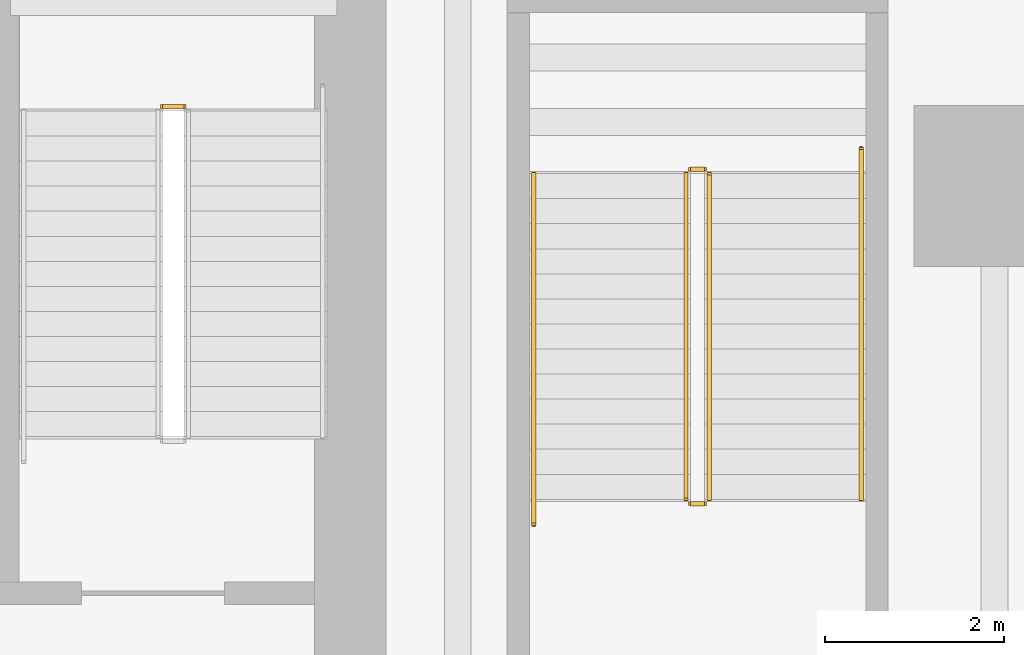
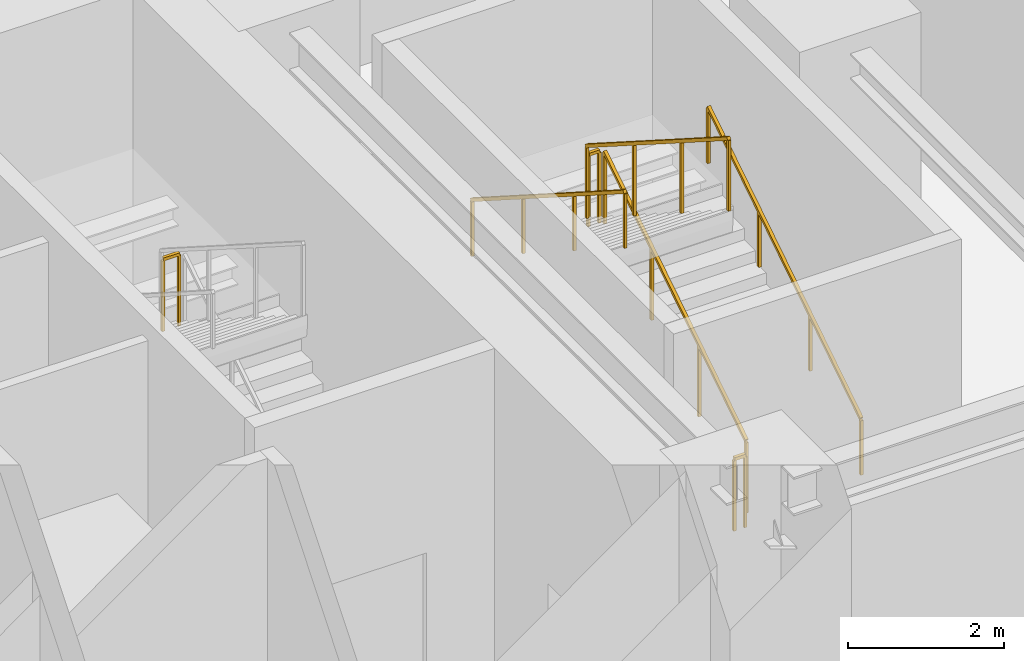
# One storey, part 15 of 18: 7 railings.
"""IFC4 building model written with IfcOpenShell, lengths in metres."""

from ifc_helpers import new_model, si_unit, direction, frame, origin, origin_2d, place, context, subcontext, project, spatial, rectangle, extrude, material, type_object, element, save


model = new_model("IFC4")

# Units and contexts
model_context = context("Model", 3, precision=1e-05, world=origin(), true_north=direction((0.0, 1.0)))
body_context = subcontext(model_context, "Body", "Model", "MODEL_VIEW")
ifc_project = project(units=[si_unit("LENGTHUNIT", "METRE"), si_unit("AREAUNIT", "SQUARE_METRE"), si_unit("VOLUMEUNIT", "CUBIC_METRE"), si_unit("PLANEANGLEUNIT", "RADIAN"), si_unit("MASSUNIT", "GRAM", prefix="KILO")], contexts=[model_context])

# Site, building, storey
site_placement = place(None, origin())
site = spatial("IfcSite", under=ifc_project, at=site_placement, CompositionType="ELEMENT")
building_placement = place(site_placement, origin())
building = spatial("IfcBuilding", under=site, at=building_placement, Name="Sumidabori Civic Tower", CompositionType="ELEMENT")
storey_placement = place(building_placement, origin())
storey = spatial("IfcBuildingStorey", under=building, at=storey_placement, Name="L00", CompositionType="ELEMENT", Elevation=0.0)

# Railings
ifc_material_1 = material(Name="Stainless Steel Hairline Finish", Category="steel")
railing_type_1 = type_object("IfcRailingType", Name="RL-HANDRAIL", PredefinedType="HANDRAIL", material=ifc_material_1)
railing_1_placement = place(storey_placement, frame((21.31005859375, 15.300048828125, 0.178466796875)))
element("IfcRailing", 1, at=railing_1_placement, inside=storey, type_object=railing_type_1, Name="L00 ST-4 stair handrail 1", PredefinedType="HANDRAIL", context=body_context, shape_type="SweptSolid", body=[
    extrude(rectangle(XDim=0.048095703125, YDim=0.048095703125, at=origin_2d()), frame((0.0, 0.0, 0.8759765625), z_axis=(0.0, 0.842743883788, 0.53831472796), x_axis=(-1.0, 0.0, 0.0)), (0.0, 0.0, 1.0), 4.6513671875),
    extrude(rectangle(XDim=0.0419921875, YDim=0.0419921875, at=origin_2d()), origin(), (0.0, 0.0, 1.0), 0.851806640625),
    extrude(rectangle(XDim=0.0419921875, YDim=0.0419921875, at=origin_2d()), frame((0.0, 1.306640625, 0.834716796875)), (0.0, 0.0, 1.0), 0.851806640625),
    extrude(rectangle(XDim=0.0419921875, YDim=0.0419921875, at=origin_2d()), frame((0.0, 2.61328125, 1.669189453125)), (0.0, 0.0, 1.0), 0.851806640625),
    extrude(rectangle(XDim=0.0419921875, YDim=0.0419921875, at=origin_2d()), frame((0.0, 3.919921875, 2.50390625)), (0.0, 0.0, 1.0), 0.851806640625),
])
railing_2_placement = place(storey_placement, frame((17.64990234375, 18.93994140625, 2.678466796875)))
element("IfcRailing", 2, at=railing_2_placement, inside=storey, type_object=railing_type_1, Name="L00 ST-4 stair handrail 2", PredefinedType="HANDRAIL", context=body_context, shape_type="SweptSolid", body=[
    extrude(rectangle(XDim=0.048095703125, YDim=0.048095703125, at=origin_2d()), frame((0.0, 0.0, 0.8759765625), z_axis=(0.0, -0.842743883788, 0.53831472796), x_axis=(1.0, 0.0, 0.0)), (0.0, 0.0, 1.0), 4.6513671875),
    extrude(rectangle(XDim=0.0419921875, YDim=0.0419921875, at=origin_2d()), origin(), (0.0, 0.0, 1.0), 0.851806640625),
    extrude(rectangle(XDim=0.0419921875, YDim=0.0419921875, at=origin_2d()), frame((0.0, -1.306640625, 0.834716796875)), (0.0, 0.0, 1.0), 0.851806640625),
    extrude(rectangle(XDim=0.0419921875, YDim=0.0419921875, at=origin_2d()), frame((0.0, -2.61328125, 1.669189453125)), (0.0, 0.0, 1.0), 0.851806640625),
    extrude(rectangle(XDim=0.0419921875, YDim=0.0419921875, at=origin_2d()), frame((0.0, -3.919921875, 2.50390625)), (0.0, 0.0, 1.0), 0.851806640625),
])
ifc_material_2 = material(Name="Steel SN490", Category="steel")
railing_type_2 = type_object("IfcRailingType", Name="RL-STAIR-GUARD", PredefinedType="GUARDRAIL", material=ifc_material_2)
railing_3_placement = place(storey_placement, frame((13.739990234375, 19.68994140625, 2.5)))
element("IfcRailing", 3, at=railing_3_placement, inside=storey, type_object=railing_type_2, Name="L00 ST-2 stair guard 2", PredefinedType="GUARDRAIL", context=body_context, shape_type="SweptSolid", body=[
    extrude(rectangle(XDim=0.048095703125, YDim=0.048095703125, at=origin_2d()), frame((0.0, 0.0, 1.1259765625), z_axis=(-1.0, 0.0, 0.0), x_axis=(0.0, -1.0, 0.0)), (0.0, 0.0, 1.0), 0.239990234375),
    extrude(rectangle(XDim=0.0419921875, YDim=0.0419921875, at=origin_2d()), origin(), (0.0, 0.0, 1.0), 1.101806640625),
    extrude(rectangle(XDim=0.0419921875, YDim=0.0419921875, at=origin_2d()), frame((-0.239990234375, 0.0, 0.0)), (0.0, 0.0, 1.0), 1.101806640625),
])
railing_4_placement = place(storey_placement, frame((19.610107421875, 15.300048828125, 0.178466796875)))
element("IfcRailing", 4, at=railing_4_placement, inside=storey, type_object=railing_type_2, Name="L00 ST-4 stair guard 1", PredefinedType="GUARDRAIL", context=body_context, shape_type="SweptSolid", body=[
    extrude(rectangle(XDim=0.048095703125, YDim=0.048095703125, at=origin_2d()), frame((0.0, 0.0, 1.1259765625), z_axis=(0.0, 0.843111507901, 0.53773877045), x_axis=(-1.0, 0.0, 0.0)), (0.0, 0.0, 1.0), 4.317138671875),
    extrude(rectangle(XDim=0.0419921875, YDim=0.0419921875, at=origin_2d()), origin(), (0.0, 0.0, 1.0), 1.101806640625),
    extrude(rectangle(XDim=0.0419921875, YDim=0.0419921875, at=origin_2d()), frame((0.0, 1.21337890625, 0.77392578125)), (0.0, 0.0, 1.0), 1.101806640625),
    extrude(rectangle(XDim=0.0419921875, YDim=0.0419921875, at=origin_2d()), frame((0.0, 2.426513671875, 1.547607421875)), (0.0, 0.0, 1.0), 1.101806640625),
    extrude(rectangle(XDim=0.0419921875, YDim=0.0419921875, at=origin_2d()), frame((0.0, 3.639892578125, 2.321533203125)), (0.0, 0.0, 1.0), 1.101806640625),
])
railing_5_placement = place(storey_placement, frame((19.56005859375, 18.989990234375, 2.5)))
element("IfcRailing", 5, at=railing_5_placement, inside=storey, type_object=railing_type_2, Name="L00 ST-4 stair guard 2", PredefinedType="GUARDRAIL", context=body_context, shape_type="SweptSolid", body=[
    extrude(rectangle(XDim=0.048095703125, YDim=0.048095703125, at=origin_2d()), frame((0.0, 0.0, 1.1259765625), z_axis=(-1.0, 0.0, 0.0), x_axis=(0.0, -1.0, 0.0)), (0.0, 0.0, 1.0), 0.16015625),
    extrude(rectangle(XDim=0.0419921875, YDim=0.0419921875, at=origin_2d()), origin(), (0.0, 0.0, 1.0), 1.101806640625),
    extrude(rectangle(XDim=0.0419921875, YDim=0.0419921875, at=origin_2d()), frame((-0.16015625, 0.0, 0.0)), (0.0, 0.0, 1.0), 1.101806640625),
])
railing_6_placement = place(storey_placement, frame((19.35009765625, 18.93994140625, 2.678466796875)))
element("IfcRailing", 6, at=railing_6_placement, inside=storey, type_object=railing_type_2, Name="L00 ST-4 stair guard 3", PredefinedType="GUARDRAIL", context=body_context, shape_type="SweptSolid", body=[
    extrude(rectangle(XDim=0.048095703125, YDim=0.048095703125, at=origin_2d()), frame((0.0, 0.0, 1.1259765625), z_axis=(0.0, -0.843111507901, 0.53773877045), x_axis=(1.0, 0.0, 0.0)), (0.0, 0.0, 1.0), 4.317138671875),
    extrude(rectangle(XDim=0.0419921875, YDim=0.0419921875, at=origin_2d()), origin(), (0.0, 0.0, 1.0), 1.101806640625),
    extrude(rectangle(XDim=0.0419921875, YDim=0.0419921875, at=origin_2d()), frame((0.0, -1.21337890625, 0.77392578125)), (0.0, 0.0, 1.0), 1.101806640625),
    extrude(rectangle(XDim=0.0419921875, YDim=0.0419921875, at=origin_2d()), frame((0.0, -2.426513671875, 1.547607421875)), (0.0, 0.0, 1.0), 1.101806640625),
    extrude(rectangle(XDim=0.0419921875, YDim=0.0419921875, at=origin_2d()), frame((0.0, -3.639892578125, 2.321533203125)), (0.0, 0.0, 1.0), 1.101806640625),
])
railing_7_placement = place(storey_placement, frame((19.56005859375, 15.25, 0.0)))
element("IfcRailing", 7, at=railing_7_placement, inside=storey, type_object=railing_type_2, Name="L00 ST-4 stair guard 4", PredefinedType="GUARDRAIL", context=body_context, shape_type="SweptSolid", body=[
    extrude(rectangle(XDim=0.048095703125, YDim=0.048095703125, at=origin_2d()), frame((0.0, 0.0, 1.1259765625), z_axis=(-1.0, 0.0, 0.0), x_axis=(0.0, -1.0, 0.0)), (0.0, 0.0, 1.0), 0.16015625),
    extrude(rectangle(XDim=0.0419921875, YDim=0.0419921875, at=origin_2d()), origin(), (0.0, 0.0, 1.0), 1.101806640625),
    extrude(rectangle(XDim=0.0419921875, YDim=0.0419921875, at=origin_2d()), frame((-0.16015625, 0.0, 0.0)), (0.0, 0.0, 1.0), 1.101806640625),
])

save(model, "model.ifc")
